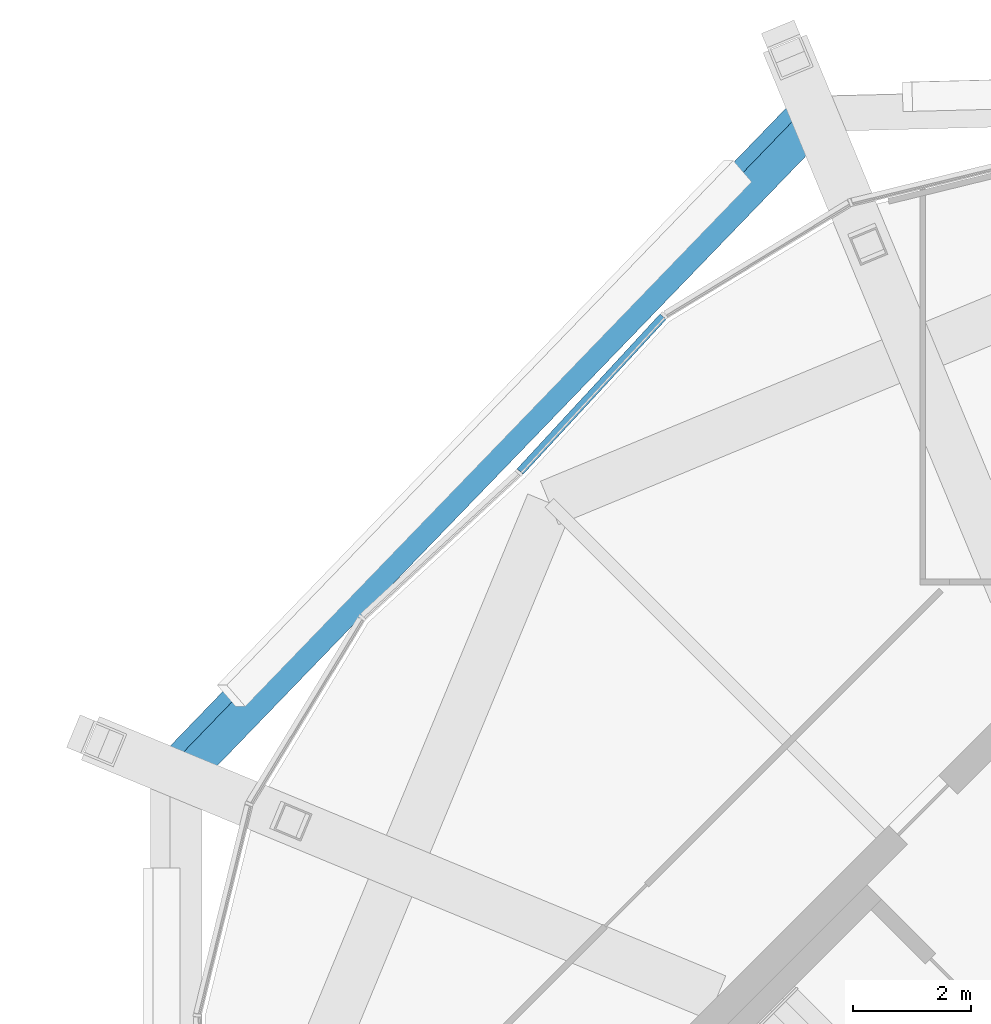
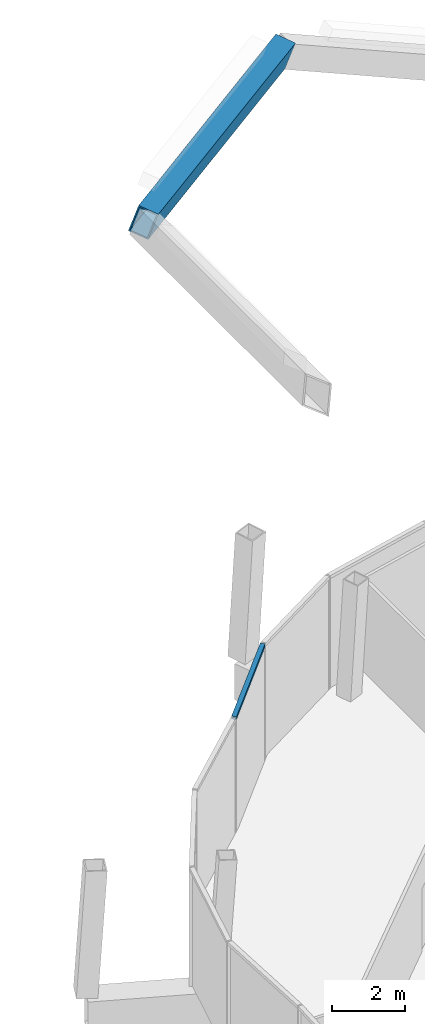
# One storey, part 22 of 34: 1 beam, 1 member, 1 element without a shape of its own.
"""IFC4 building model written with IfcOpenShell, lengths in metres."""

from ifc_helpers import new_model, si_unit, direction, frame, origin, origin_2d, place, context, subcontext, project, spatial, rectangle, hollow_rectangle, extrude, material, material_profile, profile_set, type_object, element, aggregate, save


model = new_model("IFC4")

# Units and contexts
model_context = context("Model", 3, precision=1e-05, world=origin(), true_north=direction((0.0, 1.0)))
body_context = subcontext(model_context, "Body", "Model", "MODEL_VIEW")
ifc_project = project(units=[si_unit("LENGTHUNIT", "METRE"), si_unit("AREAUNIT", "SQUARE_METRE"), si_unit("VOLUMEUNIT", "CUBIC_METRE"), si_unit("PLANEANGLEUNIT", "RADIAN"), si_unit("MASSUNIT", "GRAM", prefix="KILO")], contexts=[model_context])

# Site, building, storey
site_placement = place(None, origin())
site = spatial("IfcSite", under=ifc_project, at=site_placement, CompositionType="ELEMENT")
building_placement = place(site_placement, origin())
building = spatial("IfcBuilding", under=site, at=building_placement, Name="Ogive Gate Towers", CompositionType="ELEMENT")
storey_placement = place(building_placement, frame((0.0, 0.0, 294.0)))
storey = spatial("IfcBuildingStorey", under=building, at=storey_placement, Name="L69", CompositionType="ELEMENT", Elevation=294.0)

# Curtain wall, member
ifc_material_1 = material(Name="Pale metal aluminium", Category="aluminium")
curtain_wall_type = type_object("IfcCurtainWallType", Name="Crown lean wall", PredefinedType="NOTDEFINED", material=ifc_material_1)
curtain_wall_placement = place(storey_placement, origin())
curtain_wall = element("IfcCurtainWall", 1, at=curtain_wall_placement, inside=storey, type_object=curtain_wall_type, Name="CW5 T2 ECW03", PredefinedType="NOTDEFINED")
ifc_material_profile_1 = material_profile(ifc_material_1, rectangle(XDim=0.139892578125, YDim=0.10009765625, at=origin_2d()), Name="100 x 140 aluminium box")
ifc_profile_set_1 = profile_set([ifc_material_profile_1], Name="Pale metal aluminium")
member_type = type_object("IfcMemberType", Name="Crown lean wall transom 100 x 140", PredefinedType="USERDEFINED", material=ifc_profile_set_1)
member_placement = place(storey_placement, frame((23.1572265625, 12.876220703125, 3.64990234375), z_axis=(0.678546090414, 0.734557828346, 0.0), x_axis=(-0.734557828346, 0.678546090414, 0.0)))
member = element("IfcMember", 2, at=member_placement, type_object=member_type, Name="CW5 transom", ObjectType="TRANSOM", PredefinedType="USERDEFINED", context=body_context, shape_type="SweptSolid", body=[
    extrude(rectangle(XDim=0.139892578125, YDim=0.10009765625, at=origin_2d()), origin(), (0.0, 0.0, 1.0), 3.582763671875),
])
aggregate(curtain_wall, [member])

# Beam
ifc_material_2 = material(Name="Steel SM460", Category="steel")
ifc_material_profile_2 = material_profile(ifc_material_2, hollow_rectangle(XDim=0.60009765625, YDim=0.800048828125, WallThickness=0.0400390625, at=origin_2d()), Name="BX 800x600x40")
ifc_profile_set_2 = profile_set([ifc_material_profile_2], Name="Steel SM460")
beam_type = type_object("IfcBeamType", Name="Crown ring beam BX 800x600x40", PredefinedType="BEAM", material=ifc_profile_set_2)
beam_placement = place(storey_placement, frame((28.1474609375, 18.957763671875, 20.57470703125), z_axis=(-0.663304569552, -0.687001493835, 0.296742304838), x_axis=(-0.627106049729, 0.726656003529, 0.280551340986)))
element("IfcBeam", 3, at=beam_placement, inside=storey, type_object=beam_type, Name="T2/L69/SBM003", PredefinedType="BEAM", context=body_context, shape_type="SweptSolid", body=[
    extrude(hollow_rectangle(XDim=0.60009765625, YDim=0.800048828125, WallThickness=0.0400390625, at=origin_2d()), origin(), (0.0, 0.0, 1.0), 16.32958984375),
])

save(model, "model.ifc")
